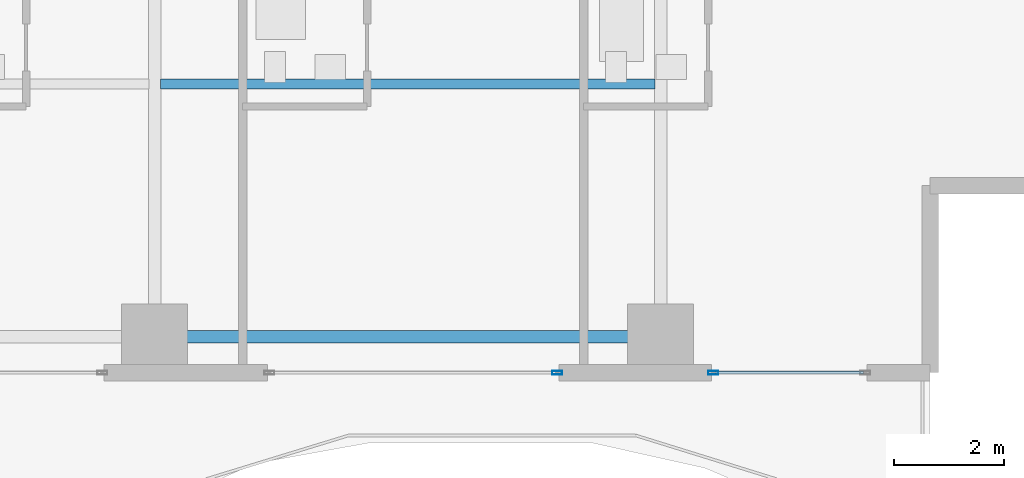
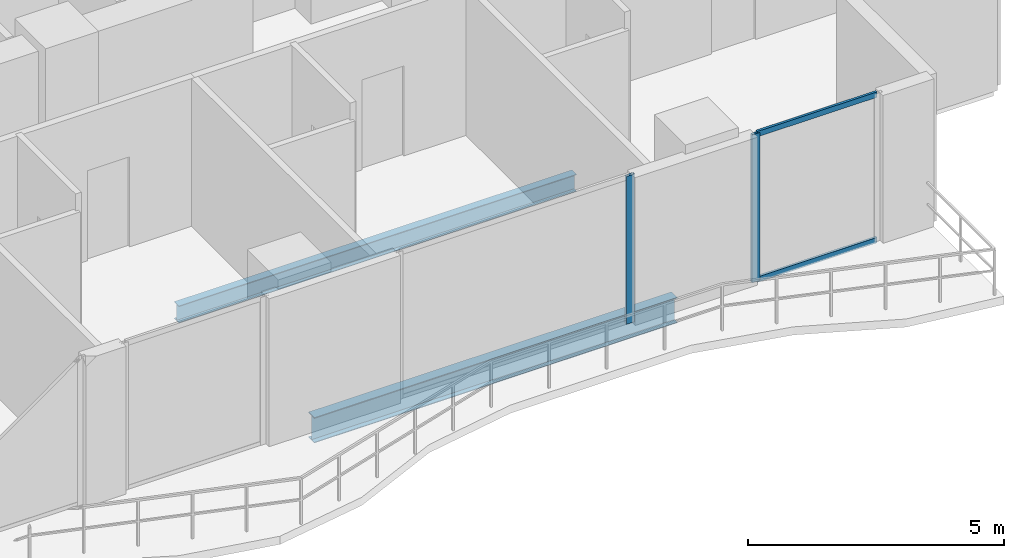
# One storey, part 9 of 32: 4 members, 2 beams, 2 elements without a shape of their own.
"""IFC4 building model written with IfcOpenShell, lengths in metres."""

from ifc_helpers import new_model, si_unit, direction, frame, origin, origin_2d, place, context, subcontext, project, spatial, hollow_rectangle, i_section, extrude, material, layer, layer_set, material_profile, profile_set, type_object, element, aggregate, save


model = new_model("IFC4")

# Units and contexts
model_context = context("Model", 3, precision=1e-05, world=origin(), true_north=direction((0.0, 1.0)))
body_context = subcontext(model_context, "Body", "Model", "MODEL_VIEW")
ifc_project = project(units=[si_unit("LENGTHUNIT", "METRE"), si_unit("AREAUNIT", "SQUARE_METRE"), si_unit("VOLUMEUNIT", "CUBIC_METRE"), si_unit("PLANEANGLEUNIT", "RADIAN"), si_unit("MASSUNIT", "GRAM", prefix="KILO")], contexts=[model_context])

# Site, building, storey
site_placement = place(None, origin())
site = spatial("IfcSite", under=ifc_project, at=site_placement, CompositionType="ELEMENT")
building_placement = place(site_placement, origin())
building = spatial("IfcBuilding", under=site, at=building_placement, Name="Zuhayl Quay Hotel", CompositionType="ELEMENT")
storey_placement = place(building_placement, frame((0.0, 0.0, 196.14990234375)))
storey = spatial("IfcBuildingStorey", under=building, at=storey_placement, Name="L49", CompositionType="ELEMENT", Elevation=196.14990234375)

# Beams
ifc_material_1 = material(Name="Steel ASTM A992 Grade 50", Category="steel")
ifc_material_profile_1 = material_profile(ifc_material_1, i_section(OverallWidth=0.22802734375, OverallDepth=0.60693359375, WebThickness=0.01123046875, FlangeThickness=0.017333984375, at=origin_2d()), Name="W24X76")
ifc_profile_set_1 = profile_set([ifc_material_profile_1], Name="Steel ASTM A992 Grade 50")
beam_type_1 = type_object("IfcBeamType", Name="BM_B3_W24X76", PredefinedType="BEAM", material=ifc_profile_set_1)
beam_1_placement = place(storey_placement, frame((5.10009765625, -6.949951171875, -0.5234375), z_axis=(1.0, 0.0, 0.0), x_axis=(0.0, 1.0, 0.0)))
element("IfcBeam", 1, at=beam_1_placement, inside=storey, type_object=beam_type_1, Name="L49 Floor Beam RG_L49_03", PredefinedType="BEAM", context=body_context, shape_type="SweptSolid", body=[
    extrude(i_section(OverallWidth=0.22802734375, OverallDepth=0.60693359375, WebThickness=0.01123046875, FlangeThickness=0.017333984375, at=origin_2d()), origin(), (0.0, 0.0, 1.0), 8.199951171875),
])
ifc_material_profile_2 = material_profile(ifc_material_1, i_section(OverallWidth=0.177978515625, OverallDepth=0.406005859375, WebThickness=0.0078125, FlangeThickness=0.0126953125, at=origin_2d()), Name="W16X40")
ifc_profile_set_2 = profile_set([ifc_material_profile_2], Name="Steel ASTM A992 Grade 50")
beam_type_2 = type_object("IfcBeamType", Name="BM_J2B_W16X40", PredefinedType="JOIST", material=ifc_profile_set_2)
beam_2_placement = place(storey_placement, frame((4.7060546875, -2.35009765625, -0.4228515625), z_axis=(1.0, 0.0, 0.0), x_axis=(0.0, 1.0, 0.0)))
element("IfcBeam", 2, at=beam_2_placement, inside=storey, type_object=beam_type_2, Name="L49 Floor Beam FJ_L49_7_3", PredefinedType="JOIST", context=body_context, shape_type="SweptSolid", body=[
    extrude(i_section(OverallWidth=0.177978515625, OverallDepth=0.406005859375, WebThickness=0.0078125, FlangeThickness=0.0126953125, at=origin_2d()), origin(), (0.0, 0.0, 1.0), 8.988037109375),
])

# Curtain wall, member
ifc_material_2 = material(Name="Anodised Aluminium 6063-T6", Category="aluminium")
ifc_layer = layer(ifc_material_2, 0.175048828125, Name="Anodised Aluminium 6063-T6", Category="aluminium")
ifc_layer_set = layer_set([ifc_layer], Name="Anodised Aluminium 6063-T6")
curtain_wall_type = type_object("IfcCurtainWallType", Name="CW_SYS_Z3", PredefinedType="USERDEFINED", material=ifc_layer_set)
curtain_wall_1_placement = place(storey_placement, origin())
curtain_wall_1 = element("IfcCurtainWall", 3, at=curtain_wall_1_placement, inside=storey, type_object=curtain_wall_type, Name="L49 Curtain Wall ENV_L49_S_CW1", ObjectType="UNITISED CURTAIN WALL", PredefinedType="USERDEFINED")
ifc_material_3 = material(Name="Black-anodised aluminium 6063-T6", Category="aluminium")
ifc_material_profile_3 = material_profile(ifc_material_3, hollow_rectangle(XDim=0.06494140625, YDim=0.179931640625, WallThickness=0.00341796875, at=origin_2d()), Name="ALU180X65")
ifc_profile_set_3 = profile_set([ifc_material_profile_3], Name="Black-anodised aluminium 6063-T6")
member_type_1 = type_object("IfcMemberType", Name="MB_CW_MUL_180", PredefinedType="MULLION", material=ifc_profile_set_3)
member_1_placement = place(storey_placement, frame((14.75244140625, -7.60009765625, 0.0), z_axis=(0.0, 0.0, 1.0), x_axis=(0.0, -1.0, 0.0)))
member_1 = element("IfcMember", 4, at=member_1_placement, type_object=member_type_1, Name="CW-Z3 mullion 2", PredefinedType="MULLION", context=body_context, shape_type="SweptSolid", body=[
    extrude(hollow_rectangle(XDim=0.06494140625, YDim=0.179931640625, WallThickness=0.00341796875, at=origin_2d()), origin(), (0.0, 0.0, 1.0), 3.530029296875),
])

curtain_wall_2_placement = place(storey_placement, origin())
curtain_wall_2 = element("IfcCurtainWall", 5, at=curtain_wall_2_placement, inside=storey, type_object=curtain_wall_type, Name="L49 Curtain Wall ENV_L49_S_CW2", ObjectType="UNITISED CURTAIN WALL", PredefinedType="USERDEFINED")
member_2_placement = place(storey_placement, frame((11.91748046875, -7.60009765625, 0.0), z_axis=(0.0, 0.0, 1.0), x_axis=(0.0, -1.0, 0.0)))
member_2 = element("IfcMember", 6, at=member_2_placement, type_object=member_type_1, Name="CW-Z3 mullion 1", PredefinedType="MULLION", context=body_context, shape_type="SweptSolid", body=[
    extrude(hollow_rectangle(XDim=0.06494140625, YDim=0.179931640625, WallThickness=0.00341796875, at=origin_2d()), origin(), (0.0, 0.0, 1.0), 3.530029296875),
])
aggregate(curtain_wall_2, [member_2])

# Member
ifc_material_profile_4 = material_profile(ifc_material_3, hollow_rectangle(XDim=0.054931640625, YDim=0.1298828125, WallThickness=0.0029296875, at=origin_2d()), Name="ALU130X55")
ifc_profile_set_4 = profile_set([ifc_material_profile_4], Name="Black-anodised aluminium 6063-T6")
member_type_2 = type_object("IfcMemberType", Name="MB_CW_TRN_130", PredefinedType="USERDEFINED", material=ifc_profile_set_4)
member_3_placement = place(storey_placement, frame((17.485107421875, -7.60009765625, 0.027587890625), z_axis=(-1.0, 0.0, 0.0), x_axis=(0.0, -1.0, 0.0)))
member_3 = element("IfcMember", 7, at=member_3_placement, type_object=member_type_2, Name="CW-Z3 transom 1.1", ObjectType="TRANSOM", PredefinedType="USERDEFINED", context=body_context, shape_type="SweptSolid", body=[
    extrude(hollow_rectangle(XDim=0.054931640625, YDim=0.1298828125, WallThickness=0.0029296875, at=origin_2d()), origin(), (0.0, 0.0, 1.0), 2.7001953125),
])

member_4_placement = place(storey_placement, frame((17.485107421875, -7.60009765625, 3.502685546875), z_axis=(-1.0, 0.0, 0.0), x_axis=(0.0, -1.0, 0.0)))
member_4 = element("IfcMember", 8, at=member_4_placement, type_object=member_type_2, Name="CW-Z3 transom 1.2", ObjectType="TRANSOM", PredefinedType="USERDEFINED", context=body_context, shape_type="SweptSolid", body=[
    extrude(hollow_rectangle(XDim=0.054931640625, YDim=0.1298828125, WallThickness=0.0029296875, at=origin_2d()), origin(), (0.0, 0.0, 1.0), 2.7001953125),
])

aggregate(curtain_wall_1, [member_1, member_3, member_4])

save(model, "model.ifc")
